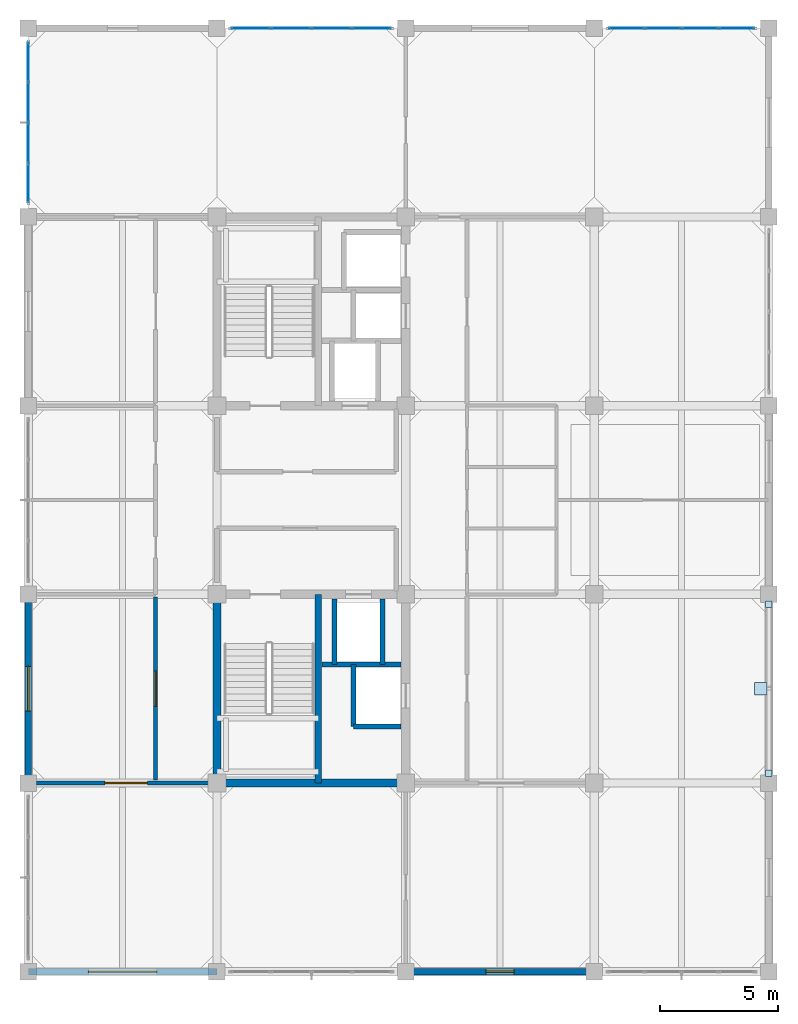
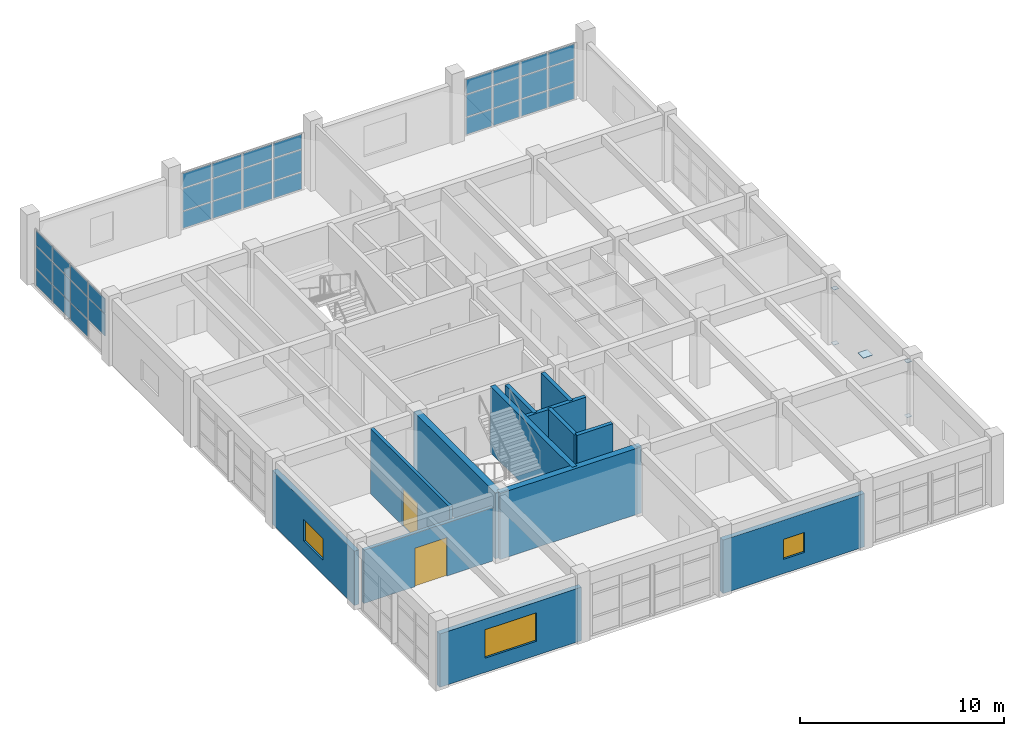
# One storey, part 14 of 19: 40 plates, 13 walls, 3 windows, 2 doors, 5 openings, 3 elements without a shape of their own.
"""IFC4 building model written with IfcOpenShell, lengths in metres."""

from ifc_helpers import new_model, si_unit, direction, frame, frame_2d, origin, origin_2d, place, context, subcontext, project, spatial, rectangle, extrude, material, layer, layer_set, type_object, element, fill, aggregate, save


model = new_model("IFC4")

# Units and contexts
model_context = context("Model", 3, precision=1e-05, world=origin(), true_north=direction((0.0, 1.0)))
body_context = subcontext(model_context, "Body", "Model", "MODEL_VIEW")
ifc_project = project(units=[si_unit("LENGTHUNIT", "METRE"), si_unit("AREAUNIT", "SQUARE_METRE"), si_unit("VOLUMEUNIT", "CUBIC_METRE"), si_unit("PLANEANGLEUNIT", "RADIAN"), si_unit("MASSUNIT", "GRAM", prefix="KILO")], contexts=[model_context])

# Site, building, storey
site_placement = place(None, origin())
site = spatial("IfcSite", under=ifc_project, at=site_placement, CompositionType="ELEMENT")
building_placement = place(site_placement, origin())
building = spatial("IfcBuilding", under=site, at=building_placement, Name="Canggui Botanical Conservatory", CompositionType="ELEMENT")
storey_placement = place(building_placement, frame((0.0, 0.0, 44.39990234375)))
storey = spatial("IfcBuildingStorey", under=building, at=storey_placement, Name="L11", CompositionType="ELEMENT", Elevation=44.39990234375)

# Curtain wall, plates
ifc_material_1 = material(Name="Thermally Broken Aluminium", Category="aluminium")
ifc_layer_1 = layer(ifc_material_1, 0.1650390625, Name="Thermally Broken Aluminium", Category="aluminium")
ifc_layer_set_1 = layer_set([ifc_layer_1], Name="Thermally Broken Aluminium")
curtain_wall_type = type_object("IfcCurtainWallType", Name="CW-UNIT-B", PredefinedType="USERDEFINED", material=ifc_layer_set_1)
curtain_wall_1_placement = place(storey_placement, origin())
curtain_wall_1 = element("IfcCurtainWall", 1, at=curtain_wall_1_placement, inside=storey, type_object=curtain_wall_type, Name="Facade Curtain Wall CW-TWR-L11-09", ObjectType="UNITISED CURTAIN WALL", PredefinedType="USERDEFINED")
ifc_material_2 = material(Name="Low-E Insulated Glass", Category="glass")
ifc_layer_2 = layer(ifc_material_2, 0.030029296875, Name="Low-E Insulated Glass", Category="glass")
ifc_layer_set_2 = layer_set([ifc_layer_2], Name="Low-E Insulated Glass")
plate_type_1 = type_object("IfcPlateType", Name="CWP-02", PredefinedType="CURTAIN_PANEL", material=ifc_layer_set_2)
plate_1_placement = place(storey_placement, frame((146.0, 67.436279296875, 1.1181640625), z_axis=(0.0, 0.0, 1.0), x_axis=(0.0, 1.0, 0.0)))
plate_1 = element("IfcPlate", 2, at=plate_1_placement, type_object=plate_type_1, Name="CW-02 panel 1.2", PredefinedType="CURTAIN_PANEL", context=body_context, shape_type="SweptSolid", body=[
    extrude(rectangle(XDim=1.62255859375, YDim=0.030029296875, at=origin_2d()), origin(), (0.0, 0.0, 1.0), 1.300048828125),
])
plate_2_placement = place(storey_placement, frame((146.0, 67.436279296875, 2.47802734375), z_axis=(0.0, 0.0, 1.0), x_axis=(0.0, 1.0, 0.0)))
plate_2 = element("IfcPlate", 3, at=plate_2_placement, type_object=plate_type_1, Name="CW-02 panel 1.3", PredefinedType="CURTAIN_PANEL", context=body_context, shape_type="SweptSolid", body=[
    extrude(rectangle(XDim=1.62255859375, YDim=0.030029296875, at=origin_2d()), origin(), (0.0, 0.0, 1.0), 0.862060546875),
])
plate_3_placement = place(storey_placement, frame((146.0, 69.139892578125, 0.06005859375), z_axis=(0.0, 0.0, 1.0), x_axis=(0.0, 1.0, 0.0)))
plate_3 = element("IfcPlate", 4, at=plate_3_placement, type_object=plate_type_1, Name="CW-02 panel 2.1", PredefinedType="CURTAIN_PANEL", context=body_context, shape_type="SweptSolid", body=[
    extrude(rectangle(XDim=1.655029296875, YDim=0.030029296875, at=origin_2d()), origin(), (0.0, 0.0, 1.0), 0.998046875),
])
plate_4_placement = place(storey_placement, frame((146.0, 69.139892578125, 1.1181640625), z_axis=(0.0, 0.0, 1.0), x_axis=(0.0, 1.0, 0.0)))
plate_4 = element("IfcPlate", 5, at=plate_4_placement, type_object=plate_type_1, Name="CW-02 panel 2.2", PredefinedType="CURTAIN_PANEL", context=body_context, shape_type="SweptSolid", body=[
    extrude(rectangle(XDim=1.655029296875, YDim=0.030029296875, at=origin_2d()), origin(), (0.0, 0.0, 1.0), 1.300048828125),
])
plate_5_placement = place(storey_placement, frame((146.0, 69.139892578125, 2.47802734375), z_axis=(0.0, 0.0, 1.0), x_axis=(0.0, 1.0, 0.0)))
plate_5 = element("IfcPlate", 6, at=plate_5_placement, type_object=plate_type_1, Name="CW-02 panel 2.3", PredefinedType="CURTAIN_PANEL", context=body_context, shape_type="SweptSolid", body=[
    extrude(rectangle(XDim=1.655029296875, YDim=0.030029296875, at=origin_2d()), origin(), (0.0, 0.0, 1.0), 0.862060546875),
])
plate_6_placement = place(storey_placement, frame((146.0, 70.860107421875, 0.06005859375), z_axis=(0.0, 0.0, 1.0), x_axis=(0.0, 1.0, 0.0)))
plate_6 = element("IfcPlate", 7, at=plate_6_placement, type_object=plate_type_1, Name="CW-02 panel 3.1", PredefinedType="CURTAIN_PANEL", context=body_context, shape_type="SweptSolid", body=[
    extrude(rectangle(XDim=1.655029296875, YDim=0.030029296875, at=origin_2d()), origin(), (0.0, 0.0, 1.0), 0.998046875),
])
plate_7_placement = place(storey_placement, frame((146.0, 70.860107421875, 1.1181640625), z_axis=(0.0, 0.0, 1.0), x_axis=(0.0, 1.0, 0.0)))
plate_7 = element("IfcPlate", 8, at=plate_7_placement, type_object=plate_type_1, Name="CW-02 panel 3.2", PredefinedType="CURTAIN_PANEL", context=body_context, shape_type="SweptSolid", body=[
    extrude(rectangle(XDim=1.655029296875, YDim=0.030029296875, at=origin_2d()), origin(), (0.0, 0.0, 1.0), 1.300048828125),
])
plate_8_placement = place(storey_placement, frame((146.0, 70.860107421875, 2.47802734375), z_axis=(0.0, 0.0, 1.0), x_axis=(0.0, 1.0, 0.0)))
plate_8 = element("IfcPlate", 9, at=plate_8_placement, type_object=plate_type_1, Name="CW-02 panel 3.3", PredefinedType="CURTAIN_PANEL", context=body_context, shape_type="SweptSolid", body=[
    extrude(rectangle(XDim=1.655029296875, YDim=0.030029296875, at=origin_2d()), origin(), (0.0, 0.0, 1.0), 0.862060546875),
])
plate_9_placement = place(storey_placement, frame((146.0, 72.563720703125, 0.06005859375), z_axis=(0.0, 0.0, 1.0), x_axis=(0.0, 1.0, 0.0)))
plate_9 = element("IfcPlate", 10, at=plate_9_placement, type_object=plate_type_1, Name="CW-02 panel 4.1", PredefinedType="CURTAIN_PANEL", context=body_context, shape_type="SweptSolid", body=[
    extrude(rectangle(XDim=1.62255859375, YDim=0.030029296875, at=origin_2d()), origin(), (0.0, 0.0, 1.0), 0.998046875),
])
plate_10_placement = place(storey_placement, frame((146.0, 72.563720703125, 1.1181640625), z_axis=(0.0, 0.0, 1.0), x_axis=(0.0, 1.0, 0.0)))
plate_10 = element("IfcPlate", 11, at=plate_10_placement, type_object=plate_type_1, Name="CW-02 panel 4.2", PredefinedType="CURTAIN_PANEL", context=body_context, shape_type="SweptSolid", body=[
    extrude(rectangle(XDim=1.62255859375, YDim=0.030029296875, at=origin_2d()), origin(), (0.0, 0.0, 1.0), 1.300048828125),
])
plate_11_placement = place(storey_placement, frame((146.0, 72.563720703125, 2.47802734375), z_axis=(0.0, 0.0, 1.0), x_axis=(0.0, 1.0, 0.0)))
plate_11 = element("IfcPlate", 12, at=plate_11_placement, type_object=plate_type_1, Name="CW-02 panel 4.3", PredefinedType="CURTAIN_PANEL", context=body_context, shape_type="SweptSolid", body=[
    extrude(rectangle(XDim=1.62255859375, YDim=0.030029296875, at=origin_2d()), origin(), (0.0, 0.0, 1.0), 0.862060546875),
])
aggregate(curtain_wall_1, [plate_1, plate_2, plate_3, plate_4, plate_5, plate_6, plate_7, plate_8, plate_9, plate_10, plate_11])

curtain_wall_2_placement = place(storey_placement, origin())
curtain_wall_2 = element("IfcCurtainWall", 13, at=curtain_wall_2_placement, inside=storey, type_object=curtain_wall_type, Name="Facade Curtain Wall CW-TWR-L11-11", ObjectType="UNITISED CURTAIN WALL", PredefinedType="USERDEFINED")
plate_12_placement = place(storey_placement, frame((155.436279296875, 74.0, 0.06005859375), z_axis=(0.0, 0.0, 1.0), x_axis=(1.0, 0.0, 0.0)))
plate_12 = element("IfcPlate", 14, at=plate_12_placement, type_object=plate_type_1, Name="CW-02 panel 1.1", PredefinedType="CURTAIN_PANEL", context=body_context, shape_type="SweptSolid", body=[
    extrude(rectangle(XDim=1.62255859375, YDim=0.030029296875, at=origin_2d()), origin(), (0.0, 0.0, 1.0), 0.998046875),
])
plate_13_placement = place(storey_placement, frame((155.436279296875, 74.0, 1.1181640625), z_axis=(0.0, 0.0, 1.0), x_axis=(1.0, 0.0, 0.0)))
plate_13 = element("IfcPlate", 15, at=plate_13_placement, type_object=plate_type_1, Name="CW-02 panel 1.2", PredefinedType="CURTAIN_PANEL", context=body_context, shape_type="SweptSolid", body=[
    extrude(rectangle(XDim=1.62255859375, YDim=0.030029296875, at=origin_2d()), origin(), (0.0, 0.0, 1.0), 1.300048828125),
])
plate_14_placement = place(storey_placement, frame((155.436279296875, 74.0, 2.47802734375), z_axis=(0.0, 0.0, 1.0), x_axis=(1.0, 0.0, 0.0)))
plate_14 = element("IfcPlate", 16, at=plate_14_placement, type_object=plate_type_1, Name="CW-02 panel 1.3", PredefinedType="CURTAIN_PANEL", context=body_context, shape_type="SweptSolid", body=[
    extrude(rectangle(XDim=1.62255859375, YDim=0.030029296875, at=origin_2d()), origin(), (0.0, 0.0, 1.0), 0.862060546875),
])
plate_15_placement = place(storey_placement, frame((157.139892578125, 74.0, 0.06005859375), z_axis=(0.0, 0.0, 1.0), x_axis=(1.0, 0.0, 0.0)))
plate_15 = element("IfcPlate", 17, at=plate_15_placement, type_object=plate_type_1, Name="CW-02 panel 2.1", PredefinedType="CURTAIN_PANEL", context=body_context, shape_type="SweptSolid", body=[
    extrude(rectangle(XDim=1.655029296875, YDim=0.030029296875, at=origin_2d()), origin(), (0.0, 0.0, 1.0), 0.998046875),
])
plate_16_placement = place(storey_placement, frame((157.139892578125, 74.0, 1.1181640625), z_axis=(0.0, 0.0, 1.0), x_axis=(1.0, 0.0, 0.0)))
plate_16 = element("IfcPlate", 18, at=plate_16_placement, type_object=plate_type_1, Name="CW-02 panel 2.2", PredefinedType="CURTAIN_PANEL", context=body_context, shape_type="SweptSolid", body=[
    extrude(rectangle(XDim=1.655029296875, YDim=0.030029296875, at=origin_2d()), origin(), (0.0, 0.0, 1.0), 1.300048828125),
])
plate_17_placement = place(storey_placement, frame((157.139892578125, 74.0, 2.47802734375), z_axis=(0.0, 0.0, 1.0), x_axis=(1.0, 0.0, 0.0)))
plate_17 = element("IfcPlate", 19, at=plate_17_placement, type_object=plate_type_1, Name="CW-02 panel 2.3", PredefinedType="CURTAIN_PANEL", context=body_context, shape_type="SweptSolid", body=[
    extrude(rectangle(XDim=1.655029296875, YDim=0.030029296875, at=origin_2d()), origin(), (0.0, 0.0, 1.0), 0.862060546875),
])
plate_18_placement = place(storey_placement, frame((158.860107421875, 74.0, 0.06005859375), z_axis=(0.0, 0.0, 1.0), x_axis=(1.0, 0.0, 0.0)))
plate_18 = element("IfcPlate", 20, at=plate_18_placement, type_object=plate_type_1, Name="CW-02 panel 3.1", PredefinedType="CURTAIN_PANEL", context=body_context, shape_type="SweptSolid", body=[
    extrude(rectangle(XDim=1.655029296875, YDim=0.030029296875, at=origin_2d()), origin(), (0.0, 0.0, 1.0), 0.998046875),
])
plate_19_placement = place(storey_placement, frame((158.860107421875, 74.0, 1.1181640625), z_axis=(0.0, 0.0, 1.0), x_axis=(1.0, 0.0, 0.0)))
plate_19 = element("IfcPlate", 21, at=plate_19_placement, type_object=plate_type_1, Name="CW-02 panel 3.2", PredefinedType="CURTAIN_PANEL", context=body_context, shape_type="SweptSolid", body=[
    extrude(rectangle(XDim=1.655029296875, YDim=0.030029296875, at=origin_2d()), origin(), (0.0, 0.0, 1.0), 1.300048828125),
])
plate_20_placement = place(storey_placement, frame((158.860107421875, 74.0, 2.47802734375), z_axis=(0.0, 0.0, 1.0), x_axis=(1.0, 0.0, 0.0)))
plate_20 = element("IfcPlate", 22, at=plate_20_placement, type_object=plate_type_1, Name="CW-02 panel 3.3", PredefinedType="CURTAIN_PANEL", context=body_context, shape_type="SweptSolid", body=[
    extrude(rectangle(XDim=1.655029296875, YDim=0.030029296875, at=origin_2d()), origin(), (0.0, 0.0, 1.0), 0.862060546875),
])
plate_21_placement = place(storey_placement, frame((160.563720703125, 74.0, 0.06005859375), z_axis=(0.0, 0.0, 1.0), x_axis=(1.0, 0.0, 0.0)))
plate_21 = element("IfcPlate", 23, at=plate_21_placement, type_object=plate_type_1, Name="CW-02 panel 4.1", PredefinedType="CURTAIN_PANEL", context=body_context, shape_type="SweptSolid", body=[
    extrude(rectangle(XDim=1.62255859375, YDim=0.030029296875, at=origin_2d()), origin(), (0.0, 0.0, 1.0), 0.998046875),
])
plate_22_placement = place(storey_placement, frame((160.563720703125, 74.0, 1.1181640625), z_axis=(0.0, 0.0, 1.0), x_axis=(1.0, 0.0, 0.0)))
plate_22 = element("IfcPlate", 24, at=plate_22_placement, type_object=plate_type_1, Name="CW-02 panel 4.2", PredefinedType="CURTAIN_PANEL", context=body_context, shape_type="SweptSolid", body=[
    extrude(rectangle(XDim=1.62255859375, YDim=0.030029296875, at=origin_2d()), origin(), (0.0, 0.0, 1.0), 1.300048828125),
])
plate_23_placement = place(storey_placement, frame((160.563720703125, 74.0, 2.47802734375), z_axis=(0.0, 0.0, 1.0), x_axis=(1.0, 0.0, 0.0)))
plate_23 = element("IfcPlate", 25, at=plate_23_placement, type_object=plate_type_1, Name="CW-02 panel 4.3", PredefinedType="CURTAIN_PANEL", context=body_context, shape_type="SweptSolid", body=[
    extrude(rectangle(XDim=1.62255859375, YDim=0.030029296875, at=origin_2d()), origin(), (0.0, 0.0, 1.0), 0.862060546875),
])
aggregate(curtain_wall_2, [plate_12, plate_13, plate_14, plate_15, plate_16, plate_17, plate_18, plate_19, plate_20, plate_21, plate_22, plate_23])

curtain_wall_3_placement = place(storey_placement, origin())
curtain_wall_3 = element("IfcCurtainWall", 26, at=curtain_wall_3_placement, inside=storey, type_object=curtain_wall_type, Name="Facade Curtain Wall CW-TWR-L11-13", ObjectType="UNITISED CURTAIN WALL", PredefinedType="USERDEFINED")
plate_24_placement = place(storey_placement, frame((171.361328125, 74.0, 0.06005859375), z_axis=(0.0, 0.0, 1.0), x_axis=(1.0, 0.0, 0.0)))
plate_24 = element("IfcPlate", 27, at=plate_24_placement, type_object=plate_type_1, Name="CW-02 panel 1.1", PredefinedType="CURTAIN_PANEL", context=body_context, shape_type="SweptSolid", body=[
    extrude(rectangle(XDim=1.472412109375, YDim=0.030029296875, at=origin_2d()), origin(), (0.0, 0.0, 1.0), 0.998046875),
])
plate_25_placement = place(storey_placement, frame((171.361328125, 74.0, 1.1181640625), z_axis=(0.0, 0.0, 1.0), x_axis=(1.0, 0.0, 0.0)))
plate_25 = element("IfcPlate", 28, at=plate_25_placement, type_object=plate_type_1, Name="CW-02 panel 1.2", PredefinedType="CURTAIN_PANEL", context=body_context, shape_type="SweptSolid", body=[
    extrude(rectangle(XDim=1.472412109375, YDim=0.030029296875, at=origin_2d()), origin(), (0.0, 0.0, 1.0), 1.300048828125),
])
plate_26_placement = place(storey_placement, frame((171.361328125, 74.0, 2.47802734375), z_axis=(0.0, 0.0, 1.0), x_axis=(1.0, 0.0, 0.0)))
plate_26 = element("IfcPlate", 29, at=plate_26_placement, type_object=plate_type_1, Name="CW-02 panel 1.3", PredefinedType="CURTAIN_PANEL", context=body_context, shape_type="SweptSolid", body=[
    extrude(rectangle(XDim=1.472412109375, YDim=0.030029296875, at=origin_2d()), origin(), (0.0, 0.0, 1.0), 0.862060546875),
])
plate_27_placement = place(storey_placement, frame((172.9150390625, 74.0, 0.06005859375), z_axis=(0.0, 0.0, 1.0), x_axis=(1.0, 0.0, 0.0)))
plate_27 = element("IfcPlate", 30, at=plate_27_placement, type_object=plate_type_1, Name="CW-02 panel 2.1", PredefinedType="CURTAIN_PANEL", context=body_context, shape_type="SweptSolid", body=[
    extrude(rectangle(XDim=1.5048828125, YDim=0.030029296875, at=origin_2d()), origin(), (0.0, 0.0, 1.0), 0.998046875),
])
plate_28_placement = place(storey_placement, frame((172.9150390625, 74.0, 1.1181640625), z_axis=(0.0, 0.0, 1.0), x_axis=(1.0, 0.0, 0.0)))
plate_28 = element("IfcPlate", 31, at=plate_28_placement, type_object=plate_type_1, Name="CW-02 panel 2.2", PredefinedType="CURTAIN_PANEL", context=body_context, shape_type="SweptSolid", body=[
    extrude(rectangle(XDim=1.5048828125, YDim=0.030029296875, at=origin_2d()), origin(), (0.0, 0.0, 1.0), 1.300048828125),
])
plate_29_placement = place(storey_placement, frame((172.9150390625, 74.0, 2.47802734375), z_axis=(0.0, 0.0, 1.0), x_axis=(1.0, 0.0, 0.0)))
plate_29 = element("IfcPlate", 32, at=plate_29_placement, type_object=plate_type_1, Name="CW-02 panel 2.3", PredefinedType="CURTAIN_PANEL", context=body_context, shape_type="SweptSolid", body=[
    extrude(rectangle(XDim=1.5048828125, YDim=0.030029296875, at=origin_2d()), origin(), (0.0, 0.0, 1.0), 0.862060546875),
])
plate_30_placement = place(storey_placement, frame((174.485107421875, 74.0, 0.06005859375), z_axis=(0.0, 0.0, 1.0), x_axis=(1.0, 0.0, 0.0)))
plate_30 = element("IfcPlate", 33, at=plate_30_placement, type_object=plate_type_1, Name="CW-02 panel 3.1", PredefinedType="CURTAIN_PANEL", context=body_context, shape_type="SweptSolid", body=[
    extrude(rectangle(XDim=1.5048828125, YDim=0.030029296875, at=origin_2d()), origin(), (0.0, 0.0, 1.0), 0.998046875),
])
plate_31_placement = place(storey_placement, frame((174.485107421875, 74.0, 1.1181640625), z_axis=(0.0, 0.0, 1.0), x_axis=(1.0, 0.0, 0.0)))
plate_31 = element("IfcPlate", 34, at=plate_31_placement, type_object=plate_type_1, Name="CW-02 panel 3.2", PredefinedType="CURTAIN_PANEL", context=body_context, shape_type="SweptSolid", body=[
    extrude(rectangle(XDim=1.5048828125, YDim=0.030029296875, at=origin_2d()), origin(), (0.0, 0.0, 1.0), 1.300048828125),
])
plate_32_placement = place(storey_placement, frame((174.485107421875, 74.0, 2.47802734375), z_axis=(0.0, 0.0, 1.0), x_axis=(1.0, 0.0, 0.0)))
plate_32 = element("IfcPlate", 35, at=plate_32_placement, type_object=plate_type_1, Name="CW-02 panel 3.3", PredefinedType="CURTAIN_PANEL", context=body_context, shape_type="SweptSolid", body=[
    extrude(rectangle(XDim=1.5048828125, YDim=0.030029296875, at=origin_2d()), origin(), (0.0, 0.0, 1.0), 0.862060546875),
])
plate_33_placement = place(storey_placement, frame((176.038818359375, 74.0, 0.06005859375), z_axis=(0.0, 0.0, 1.0), x_axis=(1.0, 0.0, 0.0)))
plate_33 = element("IfcPlate", 36, at=plate_33_placement, type_object=plate_type_1, Name="CW-02 panel 4.1", PredefinedType="CURTAIN_PANEL", context=body_context, shape_type="SweptSolid", body=[
    extrude(rectangle(XDim=1.472412109375, YDim=0.030029296875, at=origin_2d()), origin(), (0.0, 0.0, 1.0), 0.998046875),
])
plate_34_placement = place(storey_placement, frame((176.038818359375, 74.0, 1.1181640625), z_axis=(0.0, 0.0, 1.0), x_axis=(1.0, 0.0, 0.0)))
plate_34 = element("IfcPlate", 37, at=plate_34_placement, type_object=plate_type_1, Name="CW-02 panel 4.2", PredefinedType="CURTAIN_PANEL", context=body_context, shape_type="SweptSolid", body=[
    extrude(rectangle(XDim=1.472412109375, YDim=0.030029296875, at=origin_2d()), origin(), (0.0, 0.0, 1.0), 1.300048828125),
])
plate_35_placement = place(storey_placement, frame((176.038818359375, 74.0, 2.47802734375), z_axis=(0.0, 0.0, 1.0), x_axis=(1.0, 0.0, 0.0)))
plate_35 = element("IfcPlate", 38, at=plate_35_placement, type_object=plate_type_1, Name="CW-02 panel 4.3", PredefinedType="CURTAIN_PANEL", context=body_context, shape_type="SweptSolid", body=[
    extrude(rectangle(XDim=1.472412109375, YDim=0.030029296875, at=origin_2d()), origin(), (0.0, 0.0, 1.0), 0.862060546875),
])
aggregate(curtain_wall_3, [plate_24, plate_25, plate_26, plate_27, plate_28, plate_29, plate_30, plate_31, plate_32, plate_33, plate_34, plate_35])

# Plates
ifc_material_3 = material(Name="Steel Q355B", Category="steel")
ifc_layer_3 = layer(ifc_material_3, 0.02001953125, Name="Steel Q355B", Category="steel")
ifc_layer_set_3 = layer_set([ifc_layer_3], Name="Steel Q355B")
plate_type_2 = type_object("IfcPlateType", Name="PLT-CAP-20", PredefinedType="USERDEFINED", material=ifc_layer_set_3)
for number, where, z_axis, x_axis, name in (
    (39, (177.39990234375, 42.419921875, 0.0400390625), (0.0, 0.0, 1.0), (1.0, 0.0, 0.0), "CP-ZC-L11-1"),
    (40, (177.39990234375, 49.580078125, 0.0400390625), (0.0, 0.0, 1.0), (1.0, 0.0, 0.0), "CP-ZC-L11-2"),
    (41, (177.39990234375, 42.419921875, 3.320068359375), (0.0, 0.0, 1.0), (1.0, 0.0, 0.0), "CP-ZC-L11-3"),
    (42, (177.39990234375, 49.580078125, 3.320068359375), (0.0, 0.0, 1.0), (1.0, 0.0, 0.0), "CP-ZC-L11-4"),
):
    element("IfcPlate", number, at=place(storey_placement, frame(where, z_axis=z_axis, x_axis=x_axis)), inside=storey, type_object=plate_type_2, Name=name, ObjectType="END CAP PLATE", PredefinedType="USERDEFINED", context=body_context, shape_type="SweptSolid", body=[
        extrude(rectangle(XDim=0.280029296875, YDim=0.280029296875, at=origin_2d()), origin(), (0.0, 0.0, 1.0), 0.02001953125),
    ])
ifc_material_4 = material(Name="Steel Q355C", Category="steel")
ifc_layer_4 = layer(ifc_material_4, 0.02392578125, Name="Steel Q355C", Category="steel")
ifc_layer_set_4 = layer_set([ifc_layer_4], Name="Steel Q355C")
plate_type_3 = type_object("IfcPlateType", Name="PLT-GUSSET-24", PredefinedType="USERDEFINED", material=ifc_layer_set_4)
plate_36_placement = place(storey_placement, frame((177.050048828125, 46.0, 1.67822265625), z_axis=(0.0, 0.0, 1.0), x_axis=(1.0, 0.0, 0.0)))
element("IfcPlate", 43, at=plate_36_placement, inside=storey, type_object=plate_type_3, Name="Seismic X-Brace Central Crossing Gusset Plate L11", ObjectType="GUSSET PLATE", PredefinedType="USERDEFINED", context=body_context, shape_type="SweptSolid", body=[
    extrude(rectangle(XDim=0.5400390625, YDim=0.5400390625, at=origin_2d()), origin(), (0.0, 0.0, 1.0), 0.02392578125),
])

# Wall, opening, window
ifc_material_5 = material(Name="Precast Concrete C40", Category="concrete")
ifc_layer_5 = layer(ifc_material_5, 0.280029296875, Name="Precast Concrete C40", Category="concrete")
ifc_layer_set_5 = layer_set([ifc_layer_5], Name="Precast Concrete C40")
wall_type_1 = type_object("IfcWallType", Name="EW-280", PredefinedType="STANDARD", material=ifc_layer_set_5)
wall_1_placement = place(storey_placement, frame((170.0, 34.0, 0.0), z_axis=(0.0, 0.0, 1.0), x_axis=(-1.0, 0.0, 0.0)))
wall_1 = element("IfcWall", 44, at=wall_1_placement, inside=storey, type_object=wall_type_1, Name="Tower Insulated Exterior Wall L11-S2", PredefinedType="STANDARD", context=body_context, shape_type="SweptSolid", body=[
    extrude(rectangle(XDim=8.0, YDim=0.280029296875, at=frame_2d((4.0, 0.0))), origin(), (0.0, 0.0, 1.0), 3.190185546875),
])
opening_1_placement = place(wall_1_placement, frame((3.39990234375, 0.0, 0.85009765625)))
opening_1 = element("IfcOpeningElement", 45, at=opening_1_placement, cuts=wall_1, Name="Opening W-06", PredefinedType="OPENING", context=body_context, shape_type="SweptSolid", body=[
    extrude(rectangle(XDim=1.199951171875, YDim=1.199951171875, at=frame_2d((0.60009765625, 0.60009765625))), frame((0.0, 0.14990234375, 0.0), z_axis=(0.0, -1.0, 0.0), x_axis=(1.0, 0.0, 0.0)), (0.0, 0.0, 1.0), 0.300048828125),
])
window_type_1 = type_object("IfcWindowType", Name="WIN-06", PartitioningType="SINGLE_PANEL", PredefinedType="WINDOW", material=ifc_material_2)
window_1_placement = place(opening_1_placement, origin())
window_1 = element("IfcWindow", 46, at=window_1_placement, inside=storey, type_object=window_type_1, Name="Tower Firefighter Rescue Window L11-2", OverallHeight=1.199951171875, OverallWidth=1.199951171875, PartitioningType="SINGLE_PANEL", PredefinedType="WINDOW", context=body_context, shape_type="SweptSolid", body=[
    extrude(rectangle(XDim=1.199951171875, YDim=1.199951171875, at=frame_2d((0.60009765625, 0.60009765625))), frame((0.0, 0.030029296875, 0.0), z_axis=(0.0, -1.0, 0.0), x_axis=(1.0, 0.0, 0.0)), (0.0, 0.0, 1.0), 0.06005859375),
])
fill(opening_1, window_1)

wall_2_placement = place(storey_placement, frame((154.0, 34.0, 0.0), z_axis=(0.0, 0.0, 1.0), x_axis=(-1.0, 0.0, 0.0)))
wall_2 = element("IfcWall", 47, at=wall_2_placement, inside=storey, type_object=wall_type_1, Name="Tower Insulated Exterior Wall L11-S4", PredefinedType="STANDARD", context=body_context, shape_type="SweptSolid", body=[
    extrude(rectangle(XDim=8.0, YDim=0.280029296875, at=frame_2d((4.0, 0.0))), origin(), (0.0, 0.0, 1.0), 3.190185546875),
])
opening_2_placement = place(wall_2_placement, frame((2.550048828125, 0.0, 0.85009765625)))
opening_2 = element("IfcOpeningElement", 48, at=opening_2_placement, cuts=wall_2, Name="Opening W-21", PredefinedType="OPENING", context=body_context, shape_type="SweptSolid", body=[
    extrude(rectangle(XDim=2.89990234375, YDim=1.699951171875, at=frame_2d((1.449951171875, 0.85009765625))), frame((0.0, 0.14990234375, 0.0), z_axis=(0.0, -1.0, 0.0), x_axis=(1.0, 0.0, 0.0)), (0.0, 0.0, 1.0), 0.300048828125),
])
window_type_2 = type_object("IfcWindowType", Name="WIN-21", PartitioningType="TRIPLE_PANEL_VERTICAL", PredefinedType="WINDOW", material=ifc_material_2)
window_2_placement = place(opening_2_placement, origin())
window_2 = element("IfcWindow", 49, at=window_2_placement, inside=storey, type_object=window_type_2, Name="Tower Window L11-4", OverallHeight=1.699951171875, OverallWidth=2.89990234375, PartitioningType="SINGLE_PANEL", PredefinedType="WINDOW", context=body_context, shape_type="SweptSolid", body=[
    extrude(rectangle(XDim=2.89990234375, YDim=1.699951171875, at=frame_2d((1.449951171875, 0.85009765625))), frame((0.0, 0.030029296875, 0.0), z_axis=(0.0, -1.0, 0.0), x_axis=(1.0, 0.0, 0.0)), (0.0, 0.0, 1.0), 0.06005859375),
])
fill(opening_2, window_2)

wall_3_placement = place(storey_placement, frame((146.0, 42.0, 0.0), z_axis=(0.0, 0.0, 1.0), x_axis=(0.0, 1.0, 0.0)))
wall_3 = element("IfcWall", 50, at=wall_3_placement, inside=storey, type_object=wall_type_1, Name="Tower Insulated Exterior Wall L11-W6", PredefinedType="STANDARD", context=body_context, shape_type="SweptSolid", body=[
    extrude(rectangle(XDim=8.0, YDim=0.280029296875, at=frame_2d((4.0, 0.0))), origin(), (0.0, 0.0, 1.0), 3.239990234375),
])
opening_3_placement = place(wall_3_placement, frame((3.050048828125, 0.0, 0.85009765625)))
opening_3 = element("IfcOpeningElement", 51, at=opening_3_placement, cuts=wall_3, Name="Opening W-22", PredefinedType="OPENING", context=body_context, shape_type="SweptSolid", body=[
    extrude(rectangle(XDim=1.89990234375, YDim=1.300048828125, at=frame_2d((0.949951171875, 0.64990234375))), frame((0.0, 0.14990234375, 0.0), z_axis=(0.0, -1.0, 0.0), x_axis=(1.0, 0.0, 0.0)), (0.0, 0.0, 1.0), 0.300048828125),
])
window_type_3 = type_object("IfcWindowType", Name="WIN-22", PartitioningType="DOUBLE_PANEL_VERTICAL", PredefinedType="WINDOW", material=ifc_material_2)
window_3_placement = place(opening_3_placement, origin())
window_3 = element("IfcWindow", 52, at=window_3_placement, inside=storey, type_object=window_type_3, Name="Tower Window L11-6", OverallHeight=1.300048828125, OverallWidth=1.89990234375, PartitioningType="SINGLE_PANEL", PredefinedType="WINDOW", context=body_context, shape_type="SweptSolid", body=[
    extrude(rectangle(XDim=1.89990234375, YDim=1.300048828125, at=frame_2d((0.949951171875, 0.64990234375))), frame((0.0, 0.030029296875, 0.0), z_axis=(0.0, -1.0, 0.0), x_axis=(1.0, 0.0, 0.0)), (0.0, 0.0, 1.0), 0.06005859375),
])
fill(opening_3, window_3)

# Wall, opening, door
ifc_material_6 = material(Name="Gypsum Plasterboard Partition")
ifc_layer_6 = layer(ifc_material_6, 0.175048828125, Name="Gypsum Plasterboard Partition")
ifc_layer_set_6 = layer_set([ifc_layer_6], Name="Gypsum Plasterboard Partition")
wall_type_2 = type_object("IfcWallType", Name="IW-CORR-175", PredefinedType="STANDARD", material=ifc_layer_set_6)
wall_4_placement = place(storey_placement, frame((151.39990234375, 42.1201171875, 0.0), z_axis=(0.0, 0.0, 1.0), x_axis=(0.0, 1.0, 0.0)))
wall_4 = element("IfcWall", 53, at=wall_4_placement, inside=storey, type_object=wall_type_2, Name="L11 NMR Spectroscopy Room Corridor Wall", PredefinedType="STANDARD", context=body_context, shape_type="SweptSolid", body=[
    extrude(rectangle(XDim=7.759765625, YDim=0.175048828125, at=frame_2d((3.8798828125, 0.0))), origin(), (0.0, 0.0, 1.0), 3.900146484375),
])
opening_4_placement = place(wall_4_placement, frame((3.1298828125, 0.0, 0.0)))
opening_4 = element("IfcOpeningElement", 54, at=opening_4_placement, cuts=wall_4, Name="Opening FD-13", PredefinedType="OPENING", context=body_context, shape_type="SweptSolid", body=[
    extrude(rectangle(XDim=1.5, YDim=2.199951171875, at=frame_2d((0.75, 1.10009765625))), frame((0.0, 0.09765625, 0.0), z_axis=(0.0, -1.0, 0.0), x_axis=(1.0, 0.0, 0.0)), (0.0, 0.0, 1.0), 0.195068359375),
])
ifc_material_7 = material(Name="Powder-Coated Steel", Category="steel")
door_type_1 = type_object("IfcDoorType", Name="FD-13", OperationType="NOTDEFINED", PredefinedType="DOOR", material=ifc_material_7)
door_1_placement = place(opening_4_placement, origin())
door_1 = element("IfcDoor", 55, at=door_1_placement, inside=storey, type_object=door_type_1, Name="L11 NMR Spectroscopy Room Entrance Door", OperationType="SINGLE_SWING_LEFT", OverallHeight=2.199951171875, OverallWidth=1.5, PredefinedType="DOOR", context=body_context, shape_type="SweptSolid", body=[
    extrude(rectangle(XDim=1.5, YDim=2.199951171875, at=frame_2d((0.75, 1.10009765625))), frame((0.0, 0.02490234375, 0.0), z_axis=(0.0, -1.0, 0.0), x_axis=(1.0, 0.0, 0.0)), (0.0, 0.0, 1.0), 0.050048828125),
])
fill(opening_4, door_1)

wall_5_placement = place(storey_placement, frame((146.35009765625, 42.0, 0.0), z_axis=(0.0, 0.0, 1.0), x_axis=(1.0, 0.0, 0.0)))
wall_5 = element("IfcWall", 56, at=wall_5_placement, inside=storey, type_object=wall_type_2, Name="L11 Phytochemistry Analytical Laboratory South Suite Wall", PredefinedType="STANDARD", context=body_context, shape_type="SweptSolid", body=[
    extrude(rectangle(XDim=7.2998046875, YDim=0.175048828125, at=frame_2d((3.64990234375, 0.0))), origin(), (0.0, 0.0, 1.0), 3.190185546875),
])
opening_5_placement = place(wall_5_placement, frame((2.89990234375, 0.0, 0.0)))
opening_5 = element("IfcOpeningElement", 57, at=opening_5_placement, cuts=wall_5, Name="Opening FD-17", PredefinedType="OPENING", context=body_context, shape_type="SweptSolid", body=[
    extrude(rectangle(XDim=1.800048828125, YDim=2.300048828125, at=frame_2d((0.89990234375, 1.14990234375))), frame((0.0, 0.09765625, 0.0), z_axis=(0.0, -1.0, 0.0), x_axis=(1.0, 0.0, 0.0)), (0.0, 0.0, 1.0), 0.195068359375),
])
door_type_2 = type_object("IfcDoorType", Name="FD-17", OperationType="NOTDEFINED", PredefinedType="DOOR", material=ifc_material_7)
door_2_placement = place(opening_5_placement, origin())
door_2 = element("IfcDoor", 58, at=door_2_placement, inside=storey, type_object=door_type_2, Name="Interior Door IW-L11-SCOR-1", OperationType="DOUBLE_DOOR_SINGLE_SWING", OverallHeight=2.300048828125, OverallWidth=1.800048828125, PredefinedType="DOOR", context=body_context, shape_type="SweptSolid", body=[
    extrude(rectangle(XDim=1.800048828125, YDim=2.300048828125, at=frame_2d((0.89990234375, 1.14990234375))), frame((0.0, 0.02490234375, 0.0), z_axis=(0.0, -1.0, 0.0), x_axis=(1.0, 0.0, 0.0)), (0.0, 0.0, 1.0), 0.050048828125),
])
fill(opening_5, door_2)

# Walls
ifc_material_8 = material(Name="Concrete C35", Category="concrete")
ifc_layer_7 = layer(ifc_material_8, 0.215087890625, Name="Concrete C35", Category="concrete")
ifc_layer_set_7 = layer_set([ifc_layer_7], Name="Concrete C35")
wall_type_3 = type_object("IfcWallType", Name="IW-SHAFT-215", PredefinedType="STANDARD", material=ifc_layer_set_7)
wall_6_placement = place(storey_placement, frame((158.449951171875, 47.02001953125, 0.0), z_axis=(0.0, 0.0, 1.0), x_axis=(1.0, 0.0, 0.0)))
element("IfcWall", 59, at=wall_6_placement, inside=storey, type_object=wall_type_3, Name="Core T1 Lift Shaft Divider L11", PredefinedType="STANDARD", context=body_context, shape_type="SweptSolid", body=[
    extrude(rectangle(XDim=3.35009765625, YDim=0.215087890625, at=frame_2d((1.675048828125, 0.0))), origin(), (0.0, 0.0, 1.0), 3.900146484375),
])
for number, where, z_axis, x_axis, name in (
    (60, (158.97998046875, 47.02001953125, 0.0), (0.0, 0.0, 1.0), (0.0, 1.0, 0.0), "Core T1 FL-01 West Shaft Wall L11"),
    (61, (161.02001953125, 47.02001953125, 0.0), (0.0, 0.0, 1.0), (0.0, 1.0, 0.0), "Core T1 FL-01 East Shaft Wall L11"),
):
    element("IfcWall", number, at=place(storey_placement, frame(where, z_axis=z_axis, x_axis=x_axis)), inside=storey, type_object=wall_type_3, Name=name, PredefinedType="STANDARD", context=body_context, shape_type="SweptSolid", body=[
        extrude(rectangle(XDim=2.780029296875, YDim=0.215087890625, at=frame_2d((1.39013671875, 0.0))), origin(), (0.0, 0.0, 1.0), 3.900146484375),
    ])
wall_7_placement = place(storey_placement, frame((159.780029296875, 44.39990234375, 0.0), z_axis=(0.0, 0.0, 1.0), x_axis=(0.0, 1.0, 0.0)))
element("IfcWall", 62, at=wall_7_placement, inside=storey, type_object=wall_type_3, Name="Core T1 PL-01 West Shaft Wall L11", PredefinedType="STANDARD", context=body_context, shape_type="SweptSolid", body=[
    extrude(rectangle(XDim=2.6201171875, YDim=0.215087890625, at=frame_2d((1.31005859375, 0.0))), origin(), (0.0, 0.0, 1.0), 3.900146484375),
])
wall_8_placement = place(storey_placement, frame((159.780029296875, 44.39990234375, 0.0), z_axis=(0.0, 0.0, 1.0), x_axis=(1.0, 0.0, 0.0)))
element("IfcWall", 63, at=wall_8_placement, inside=storey, type_object=wall_type_3, Name="Core T1 PL-01 South Shaft Wall L11", PredefinedType="STANDARD", context=body_context, shape_type="SweptSolid", body=[
    extrude(rectangle(XDim=2.02001953125, YDim=0.215087890625, at=frame_2d((1.010009765625, 0.0))), origin(), (0.0, 0.0, 1.0), 3.900146484375),
])
ifc_layer_8 = layer(ifc_material_8, 0.280029296875, Name="Concrete C35", Category="concrete")
ifc_layer_set_8 = layer_set([ifc_layer_8], Name="Concrete C35")
wall_type_4 = type_object("IfcWallType", Name="WALL-SH-280-C35", PredefinedType="SHEAR", material=ifc_layer_set_8)
wall_9_placement = place(storey_placement, frame((158.300048828125, 42.0, 0.0), z_axis=(0.0, 0.0, 1.0), x_axis=(0.0, 1.0, 0.0)))
element("IfcWall", 64, at=wall_9_placement, inside=storey, type_object=wall_type_4, Name="Core T1 Internal Shear Web L11", PredefinedType="SHEAR", context=body_context, shape_type="SweptSolid", body=[
    extrude(rectangle(XDim=8.0, YDim=0.280029296875, at=frame_2d((4.0, 0.0))), origin(), (0.0, 0.0, 1.0), 3.9501953125),
])
ifc_material_9 = material(Name="Concrete C40", Category="concrete")
ifc_layer_9 = layer(ifc_material_9, 0.35009765625, Name="Concrete C40", Category="concrete")
ifc_layer_set_9 = layer_set([ifc_layer_9], Name="Concrete C40")
wall_type_5 = type_object("IfcWallType", Name="WALL-SH-350-C40", PredefinedType="SHEAR", material=ifc_layer_set_9)
for number, where, z_axis, x_axis, name in (
    (65, (154.0, 42.0, 0.0), (0.0, 0.0, 1.0), (1.0, 0.0, 0.0), "Core T1 Shear Wall L11-S"),
    (66, (154.0, 50.0, 0.0), (0.0, 0.0, 1.0), (0.0, -1.0, 0.0), "Core T1 Shear Wall L11-W"),
):
    element("IfcWall", number, at=place(storey_placement, frame(where, z_axis=z_axis, x_axis=x_axis)), inside=storey, type_object=wall_type_5, Name=name, PredefinedType="SHEAR", context=body_context, shape_type="SweptSolid", body=[
        extrude(rectangle(XDim=8.0, YDim=0.35009765625, at=frame_2d((4.0, 0.0))), origin(), (0.0, 0.0, 1.0), 3.9501953125),
    ])

save(model, "model.ifc")
